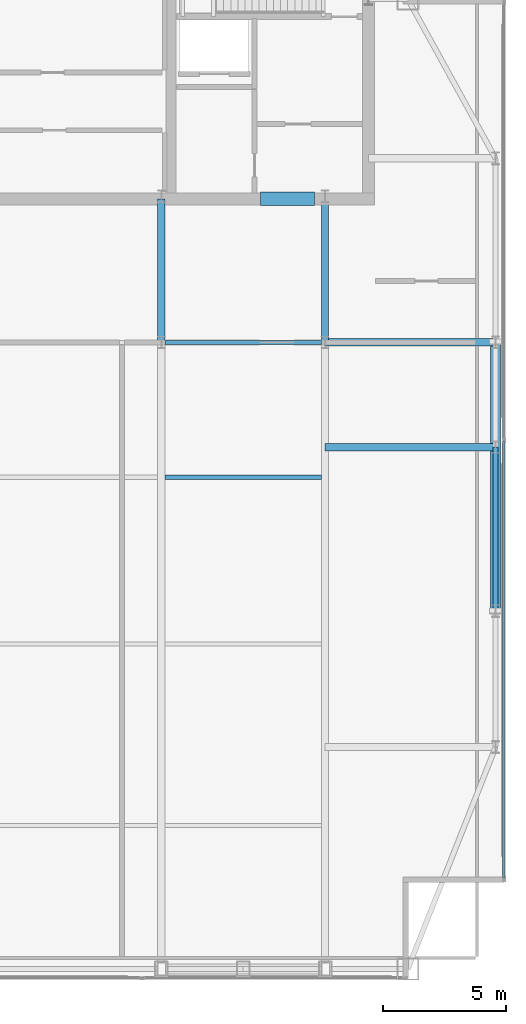
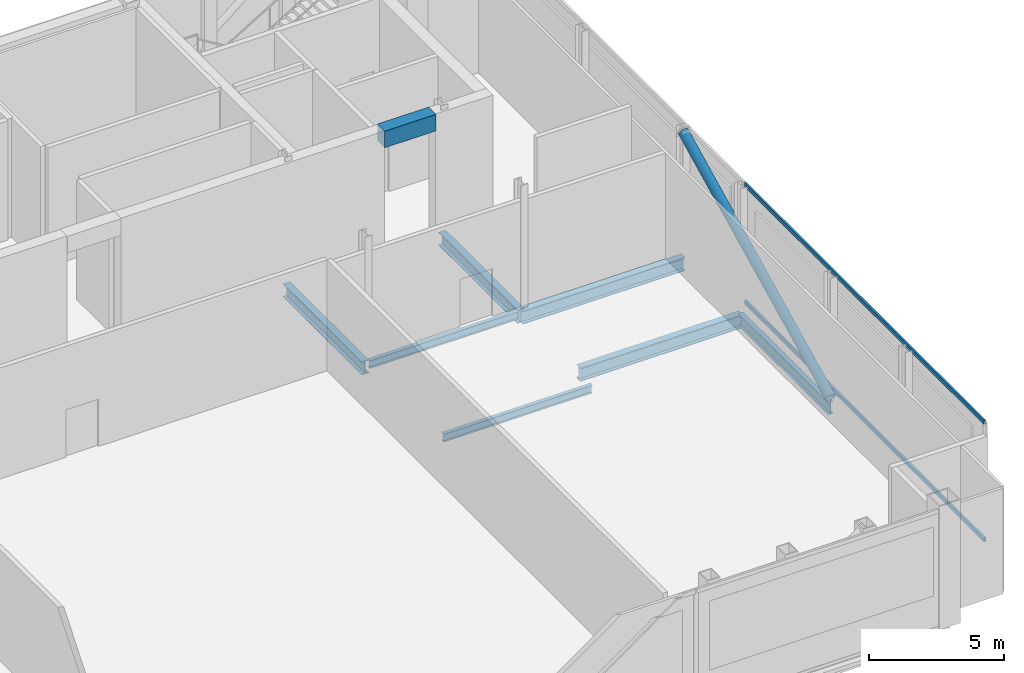
# One storey, part 13 of 22: 8 beams, 3 members, 1 element without a shape of its own.
"""IFC4 building model written with IfcOpenShell, lengths in metres."""

from ifc_helpers import new_model, si_unit, direction, frame, origin, origin_2d, place, context, subcontext, project, spatial, rectangle, hollow_rectangle, hollow_circle, i_section, extrude, material, material_profile, profile_set, type_object, element, aggregate, save


model = new_model("IFC4")

# Units and contexts
model_context = context("Model", 3, precision=1e-05, world=origin(), true_north=direction((0.0, 1.0)))
body_context = subcontext(model_context, "Body", "Model", "MODEL_VIEW")
ifc_project = project(units=[si_unit("LENGTHUNIT", "METRE"), si_unit("AREAUNIT", "SQUARE_METRE"), si_unit("VOLUMEUNIT", "CUBIC_METRE"), si_unit("PLANEANGLEUNIT", "RADIAN"), si_unit("MASSUNIT", "GRAM", prefix="KILO")], contexts=[model_context])

# Site, building, storey
site_placement = place(None, origin())
site = spatial("IfcSite", under=ifc_project, at=site_placement, CompositionType="ELEMENT")
building_placement = place(site_placement, origin())
building = spatial("IfcBuilding", under=site, at=building_placement, Name="Khoronbel Lancet Exchange", CompositionType="ELEMENT")
storey_placement = place(building_placement, frame((0.0, 0.0, 367.39990234375)))
storey = spatial("IfcBuildingStorey", under=building, at=storey_placement, Name="L94", CompositionType="ELEMENT", Elevation=367.39990234375)

# Beams
ifc_material_1 = material(Name="Steel S355", Category="steel")
ifc_material_profile_1 = material_profile(ifc_material_1, i_section(OverallWidth=0.300048828125, OverallDepth=0.60009765625, WebThickness=0.015380859375, FlangeThickness=0.030029296875, at=origin_2d()), Name="HEB 600")
ifc_profile_set_1 = profile_set([ifc_material_profile_1], Name="Steel S355")
beam_type_1 = type_object("IfcBeamType", Name="BM-BG5", PredefinedType="BEAM", material=ifc_profile_set_1)
for number, where, z_axis, x_axis, name in (
    (1, (48.0, 35.699951171875, -0.5), (0.0, 1.0, 0.0), (-1.0, 0.0, 0.0), "Level L94 spine tie girder GN5"),
    (2, (54.675048828125, 35.699951171875, -0.5), (0.0, 1.0, 0.0), (-1.0, 0.0, 0.0), "Level L94 spine tie girder GN6"),
):
    element("IfcBeam", number, at=place(storey_placement, frame(where, z_axis=z_axis, x_axis=x_axis)), inside=storey, type_object=beam_type_1, Name=name, PredefinedType="BEAM", context=body_context, shape_type="SweptSolid", body=[
        extrude(i_section(OverallWidth=0.300048828125, OverallDepth=0.60009765625, WebThickness=0.015380859375, FlangeThickness=0.030029296875, at=origin_2d()), origin(), (0.0, 0.0, 1.0), 5.85009765625),
    ])
for number, where, z_axis, x_axis, name in (
    (3, (54.675048828125, 31.425048828125, -0.5), (1.0, 0.0, 0.0), (0.0, 1.0, 0.0), "Level L94 east lens tie girder LG2E"),
    (4, (54.675048828125, 35.699951171875, -0.5), (1.0, 0.0, 0.0), (0.0, 1.0, 0.0), "Level L94 east lens tie girder LG4E"),
):
    element("IfcBeam", number, at=place(storey_placement, frame(where, z_axis=z_axis, x_axis=x_axis)), inside=storey, type_object=beam_type_1, Name=name, PredefinedType="BEAM", context=body_context, shape_type="SweptSolid", body=[
        extrude(i_section(OverallWidth=0.300048828125, OverallDepth=0.60009765625, WebThickness=0.015380859375, FlangeThickness=0.030029296875, at=origin_2d()), origin(), (0.0, 0.0, 1.0), 6.954833984375),
    ])
ifc_material_profile_2 = material_profile(ifc_material_1, i_section(OverallWidth=0.169921875, OverallDepth=0.360107421875, WebThickness=0.008056640625, FlangeThickness=0.0126953125, at=origin_2d()), Name="IPE 360")
ifc_profile_set_2 = profile_set([ifc_material_profile_2], Name="Steel S355")
beam_type_2 = type_object("IfcBeamType", Name="BM-BJ6", PredefinedType="JOIST", material=ifc_profile_set_2)
for number, where, z_axis, x_axis, name in (
    (5, (48.14990234375, 30.199951171875, -0.3798828125), (1.0, 0.0, 0.0), (0.0, 1.0, 0.0), "Level L94 secondary composite joist J09"),
    (6, (48.14990234375, 35.699951171875, -0.3798828125), (1.0, 0.0, 0.0), (0.0, 1.0, 0.0), "Level L94 secondary composite joist J12"),
):
    element("IfcBeam", number, at=place(storey_placement, frame(where, z_axis=z_axis, x_axis=x_axis)), inside=storey, type_object=beam_type_2, Name=name, PredefinedType="JOIST", context=body_context, shape_type="SweptSolid", body=[
        extrude(i_section(OverallWidth=0.169921875, OverallDepth=0.360107421875, WebThickness=0.008056640625, FlangeThickness=0.0126953125, at=origin_2d()), origin(), (0.0, 0.0, 1.0), 6.375),
    ])
ifc_material_2 = material(Name="Concrete C60/75", Category="concrete")
ifc_material_profile_3 = material_profile(ifc_material_2, rectangle(XDim=0.550048828125, YDim=0.75, at=origin_2d()), Name="RC 550x750")
ifc_profile_set_3 = profile_set([ifc_material_profile_3], Name="Concrete C60/75")
beam_type_3 = type_object("IfcBeamType", Name="BM-BL2", PredefinedType="LINTEL", material=ifc_profile_set_3)
beam_1_placement = place(storey_placement, frame((52.050048828125, 41.550048828125, 5.025146484375), z_axis=(1.0, 0.0, 0.0), x_axis=(0.0, 1.0, 0.0)))
element("IfcBeam", 7, at=beam_1_placement, inside=storey, type_object=beam_type_3, Name="Level L94 rear core coupling lintel L4", PredefinedType="LINTEL", context=body_context, shape_type="SweptSolid", body=[
    extrude(rectangle(XDim=0.550048828125, YDim=0.75, at=origin_2d()), origin(), (0.0, 0.0, 1.0), 2.199951171875),
])
ifc_material_profile_4 = material_profile(ifc_material_1, i_section(OverallWidth=0.2099609375, OverallDepth=0.550048828125, WebThickness=0.010986328125, FlangeThickness=0.01708984375, at=origin_2d()), Name="IPE 550")
ifc_profile_set_4 = profile_set([ifc_material_profile_4], Name="Steel S355")
beam_type_4 = type_object("IfcBeamType", Name="BM-BSP3", PredefinedType="SPANDREL", material=ifc_profile_set_4)
beam_2_placement = place(storey_placement, frame((61.6298828125, 24.75, -0.474853515625), z_axis=(0.0, 1.0, 0.0), x_axis=(-1.0, 0.0, 0.0)))
element("IfcBeam", 8, at=beam_2_placement, inside=storey, type_object=beam_type_4, Name="Level L94 perimeter spandrel beam SP10", PredefinedType="SPANDREL", context=body_context, shape_type="SweptSolid", body=[
    extrude(i_section(OverallWidth=0.2099609375, OverallDepth=0.550048828125, WebThickness=0.010986328125, FlangeThickness=0.01708984375, at=origin_2d()), origin(), (0.0, 0.0, 1.0), 6.675048828125),
])

# Curtain wall, members
ifc_material_3 = material(Name="Low-E Solar Control Insulating Glass", Category="glass")
curtain_wall_type = type_object("IfcCurtainWallType", Name="CW-6", PredefinedType="NOTDEFINED", material=ifc_material_3)
curtain_wall_placement = place(storey_placement, origin())
curtain_wall = element("IfcCurtainWall", 9, at=curtain_wall_placement, inside=storey, type_object=curtain_wall_type, Name="Unitised curtain wall CW-L94-E09", PredefinedType="NOTDEFINED")
ifc_material_4 = material(Name="Bronze-Anodised Aluminium 6063-T6", Category="aluminium")
ifc_material_profile_5 = material_profile(ifc_material_4, hollow_rectangle(XDim=0.0849609375, YDim=0.179931640625, WallThickness=0.0048828125, at=origin_2d()), Name="ALU TRANSOM 85x180")
ifc_profile_set_5 = profile_set([ifc_material_profile_5], Name="Bronze-Anodised Aluminium 6063-T6")
member_type_1 = type_object("IfcMemberType", Name="MEM-CWT1", PredefinedType="USERDEFINED", material=ifc_profile_set_5)
member_1_placement = place(storey_placement, frame((61.9599609375, 31.66259765625, 0.04248046875), z_axis=(0.0, -1.0, 0.0), x_axis=(1.0, 0.0, 0.0)))
member_1 = element("IfcMember", 10, at=member_1_placement, type_object=member_type_1, Name="CW6 transom 2.1", ObjectType="TRANSOM", PredefinedType="USERDEFINED", context=body_context, shape_type="SweptSolid", body=[
    extrude(hollow_rectangle(XDim=0.0849609375, YDim=0.179931640625, WallThickness=0.0048828125, at=origin_2d()), origin(), (0.0, 0.0, 1.0), 17.797607421875),
])
member_2_placement = place(storey_placement, frame((61.9599609375, 31.66259765625, 5.357666015625), z_axis=(0.0, -1.0, 0.0), x_axis=(1.0, 0.0, 0.0)))
member_2 = element("IfcMember", 11, at=member_2_placement, type_object=member_type_1, Name="CW6 transom 2.2", ObjectType="TRANSOM", PredefinedType="USERDEFINED", context=body_context, shape_type="SweptSolid", body=[
    extrude(hollow_rectangle(XDim=0.0849609375, YDim=0.179931640625, WallThickness=0.0048828125, at=origin_2d()), origin(), (0.0, 0.0, 1.0), 17.797607421875),
])
aggregate(curtain_wall, [member_1, member_2])

# Member
ifc_material_profile_6 = material_profile(ifc_material_1, hollow_circle(Radius=0.203125, WallThickness=0.02001953125, at=origin_2d()), Name="CHS 406.4x20")
ifc_profile_set_6 = profile_set([ifc_material_profile_6], Name="Steel S355")
member_type_2 = type_object("IfcMemberType", Name="MEM-STR2", PredefinedType="STRUT", material=ifc_profile_set_6)
member_3_placement = place(storey_placement, frame((61.6298828125, 24.75, 0.0), z_axis=(0.0, 0.89621437822, 0.44362122162), x_axis=(-1.0, 0.0, 0.0)))
element("IfcMember", 12, at=member_3_placement, inside=storey, type_object=member_type_2, Name="CROWN FRAME diagonal ring brace L94-E1", PredefinedType="STRUT", context=body_context, shape_type="SweptSolid", body=[
    extrude(hollow_circle(Radius=0.203125, WallThickness=0.02001953125, at=origin_2d()), origin(), (0.0, 0.0, 1.0), 12.218017578125),
])

save(model, "model.ifc")
